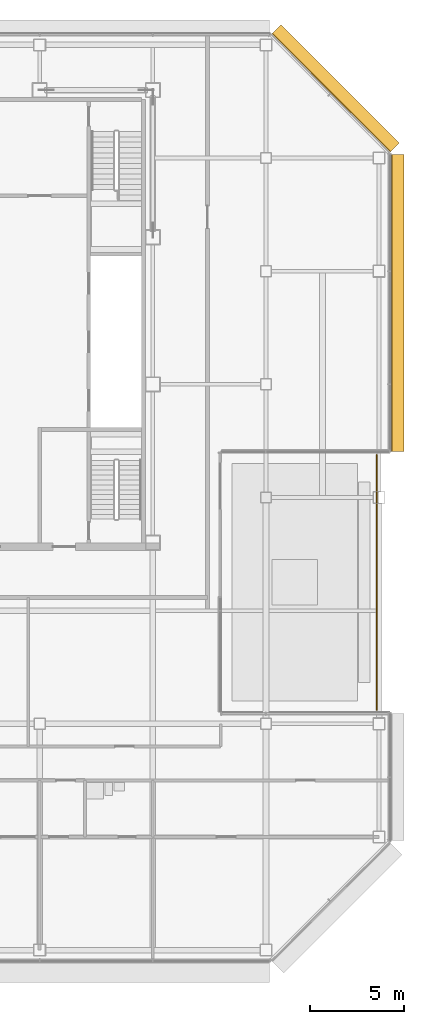
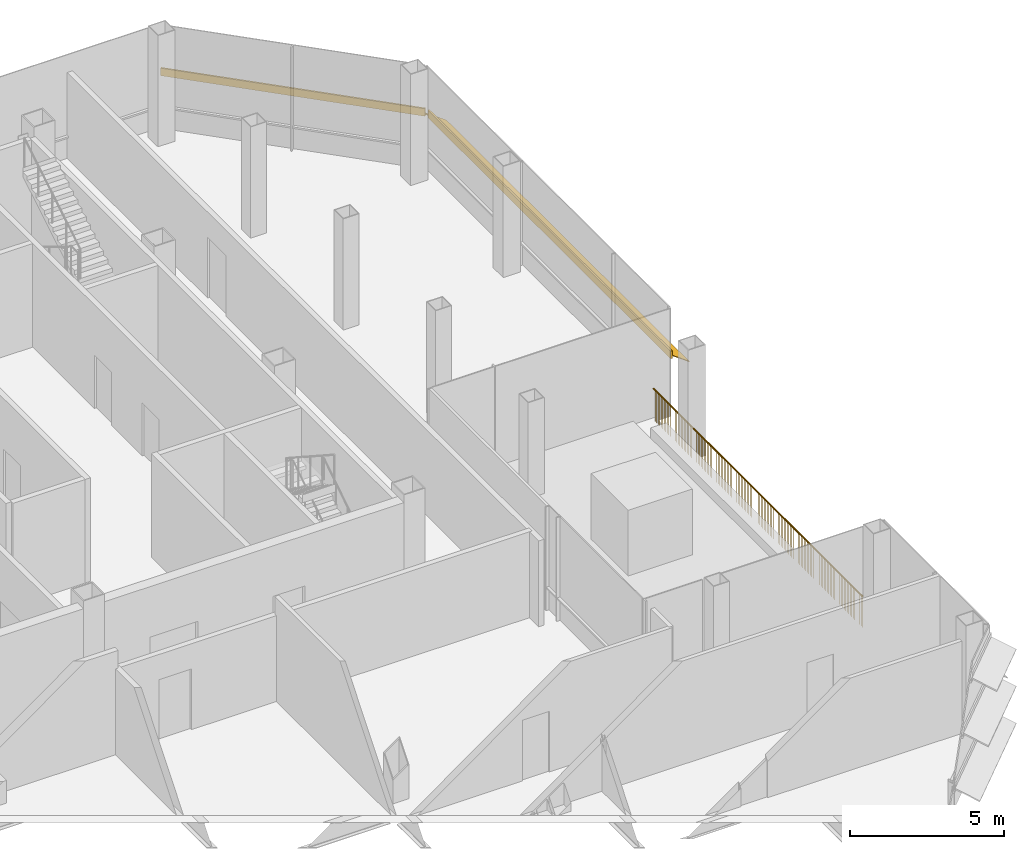
# One storey, part 28 of 30: 2 shading devices, 1 railing.
"""IFC4 building model written with IfcOpenShell, lengths in metres."""

from ifc_helpers import new_model, si_unit, direction, frame, origin, origin_2d, place, context, subcontext, project, spatial, polyline, circle, outline, extrude, material, type_object, element, save


model = new_model("IFC4")

# Units and contexts
model_context = context("Model", 3, precision=1e-05, world=origin(), true_north=direction((0.0, 1.0)))
body_context = subcontext(model_context, "Body", "Model", "MODEL_VIEW")
ifc_project = project(units=[si_unit("LENGTHUNIT", "METRE"), si_unit("AREAUNIT", "SQUARE_METRE"), si_unit("VOLUMEUNIT", "CUBIC_METRE"), si_unit("PLANEANGLEUNIT", "RADIAN"), si_unit("MASSUNIT", "GRAM", prefix="KILO")], contexts=[model_context])

# Site, building, storey
site_placement = place(None, origin())
site = spatial("IfcSite", under=ifc_project, at=site_placement, CompositionType="ELEMENT")
building_placement = place(site_placement, origin())
building = spatial("IfcBuilding", under=site, at=building_placement, Name="Sorahane Residences", CompositionType="ELEMENT")
storey_placement = place(building_placement, frame((0.0, 0.0, 229.800048828125)))
storey = spatial("IfcBuildingStorey", under=building, at=storey_placement, Name="L54", CompositionType="ELEMENT", Elevation=229.800048828125)

# Shading devices
ifc_material_1 = material(Name="Terracotta anodised aluminium", Category="masonry")
shading_device_type_1 = type_object("IfcShadingDeviceType", Name="Louvre sunshade blade E terracotta aluminium 700", PredefinedType="JALOUSIE", material=ifc_material_1)
shading_device_1_placement = place(storey_placement, frame((54.60009765625, 26.449951171875, 2.199951171875), z_axis=(0.0, 1.0, 0.0), x_axis=(-1.0, 0.0, 0.0)))
element("IfcShadingDevice", 1, at=shading_device_1_placement, inside=storey, type_object=shading_device_type_1, Name="Louvre sunshade blade bank E L54 E3", PredefinedType="JALOUSIE", context=body_context, shape_type="SweptSolid", body=[
    extrude(outline(polyline([(-0.719970703125, -0.49365234375), (-0.719970703125, -0.523681640625), (-0.080078125, -0.05859375), (-0.080078125, -0.14990234375), (-0.02001953125, -0.14990234375), (-0.02001953125, -0.014892578125), (-0.02001953125, 0.014892578125), (-0.02001953125, 0.14990234375), (-0.080078125, 0.14990234375), (-0.080078125, -0.028564453125), (-0.719970703125, -0.49365234375)])), origin(), (0.0, 0.0, 1.0), 15.74853515625),
])
ifc_material_2 = material(Name="Terracotta anodised aluminium", Category="masonry")
shading_device_type_2 = type_object("IfcShadingDeviceType", Name="Louvre sunshade blade NE terracotta aluminium 700", PredefinedType="JALOUSIE", material=ifc_material_2)
shading_device_2_placement = place(storey_placement, frame((54.564697265625, 42.283935546875, 2.199951171875), z_axis=(-0.707106781187, 0.707106781187, 0.0), x_axis=(-0.707106781187, -0.707106781187, 0.0)))
element("IfcShadingDevice", 2, at=shading_device_2_placement, inside=storey, type_object=shading_device_type_2, Name="Louvre sunshade blade bank NE L54 NE1", PredefinedType="JALOUSIE", context=body_context, shape_type="SweptSolid", body=[
    extrude(outline(polyline([(-0.719970703125, -0.572509765625), (-0.719970703125, -0.602294921875), (-0.080078125, -0.065185546875), (-0.080078125, -0.14990234375), (-0.02001953125, -0.14990234375), (-0.02001953125, -0.014892578125), (-0.02001953125, 0.014892578125), (-0.02001953125, 0.14990234375), (-0.080078125, 0.14990234375), (-0.080078125, -0.035400390625), (-0.719970703125, -0.572509765625)])), origin(), (0.0, 0.0, 1.0), 8.88232421875),
])

# Railing
ifc_material_3 = material(Name="Clear low-iron glass with a black steel top rail", Category="steel")
railing_type = type_object("IfcRailingType", Name="Terrace guard black steel bars 1260", PredefinedType="GUARDRAIL", material=ifc_material_3)
railing_placement = place(storey_placement, frame((53.8798828125, 26.280029296875, 0.0)))
element("IfcRailing", 3, at=railing_placement, inside=storey, type_object=railing_type, Name="Terrace guard L54.1.1", PredefinedType="GUARDRAIL", context=body_context, shape_type="SweptSolid", body=[
    extrude(circle(Radius=0.030029296875, at=origin_2d()), frame((0.0, 0.0, 1.22998046875), z_axis=(0.0, -1.0, 0.0), x_axis=(1.0, 0.0, 0.0)), (0.0, 0.0, 1.0), 13.56005859375),
    extrude(circle(Radius=0.0068359375, at=origin_2d()), origin(), (0.0, 0.0, 1.0), 1.199951171875),
    extrude(circle(Radius=0.0068359375, at=origin_2d()), frame((0.0, -0.099609375, 0.0)), (0.0, 0.0, 1.0), 1.199951171875),
    extrude(circle(Radius=0.0068359375, at=origin_2d()), frame((0.0, -0.199462890625, 0.0)), (0.0, 0.0, 1.0), 1.199951171875),
    extrude(circle(Radius=0.0068359375, at=origin_2d()), frame((0.0, -0.299072265625, 0.0)), (0.0, 0.0, 1.0), 1.199951171875),
    extrude(circle(Radius=0.0068359375, at=origin_2d()), frame((0.0, -0.39892578125, 0.0)), (0.0, 0.0, 1.0), 1.199951171875),
    extrude(circle(Radius=0.0068359375, at=origin_2d()), frame((0.0, -0.49853515625, 0.0)), (0.0, 0.0, 1.0), 1.199951171875),
    extrude(circle(Radius=0.0068359375, at=origin_2d()), frame((0.0, -0.59814453125, 0.0)), (0.0, 0.0, 1.0), 1.199951171875),
    extrude(circle(Radius=0.0068359375, at=origin_2d()), frame((0.0, -0.697998046875, 0.0)), (0.0, 0.0, 1.0), 1.199951171875),
    extrude(circle(Radius=0.0068359375, at=origin_2d()), frame((0.0, -0.797607421875, 0.0)), (0.0, 0.0, 1.0), 1.199951171875),
    extrude(circle(Radius=0.0068359375, at=origin_2d()), frame((0.0, -0.8974609375, 0.0)), (0.0, 0.0, 1.0), 1.199951171875),
    extrude(circle(Radius=0.0068359375, at=origin_2d()), frame((0.0, -0.9970703125, 0.0)), (0.0, 0.0, 1.0), 1.199951171875),
    extrude(circle(Radius=0.0068359375, at=origin_2d()), frame((0.0, -1.0966796875, 0.0)), (0.0, 0.0, 1.0), 1.199951171875),
    extrude(circle(Radius=0.0068359375, at=origin_2d()), frame((0.0, -1.196533203125, 0.0)), (0.0, 0.0, 1.0), 1.199951171875),
    extrude(circle(Radius=0.0068359375, at=origin_2d()), frame((0.0, -1.296142578125, 0.0)), (0.0, 0.0, 1.0), 1.199951171875),
    extrude(circle(Radius=0.0068359375, at=origin_2d()), frame((0.0, -1.39599609375, 0.0)), (0.0, 0.0, 1.0), 1.199951171875),
    extrude(circle(Radius=0.0068359375, at=origin_2d()), frame((0.0, -1.49560546875, 0.0)), (0.0, 0.0, 1.0), 1.199951171875),
    extrude(circle(Radius=0.0068359375, at=origin_2d()), frame((0.0, -1.59521484375, 0.0)), (0.0, 0.0, 1.0), 1.199951171875),
    extrude(circle(Radius=0.0068359375, at=origin_2d()), frame((0.0, -1.695068359375, 0.0)), (0.0, 0.0, 1.0), 1.199951171875),
    extrude(circle(Radius=0.0068359375, at=origin_2d()), frame((0.0, -1.794677734375, 0.0)), (0.0, 0.0, 1.0), 1.199951171875),
    extrude(circle(Radius=0.0068359375, at=origin_2d()), frame((0.0, -1.89453125, 0.0)), (0.0, 0.0, 1.0), 1.199951171875),
    extrude(circle(Radius=0.0068359375, at=origin_2d()), frame((0.0, -1.994140625, 0.0)), (0.0, 0.0, 1.0), 1.199951171875),
    extrude(circle(Radius=0.0068359375, at=origin_2d()), frame((0.0, -2.09375, 0.0)), (0.0, 0.0, 1.0), 1.199951171875),
    extrude(circle(Radius=0.0068359375, at=origin_2d()), frame((0.0, -2.193603515625, 0.0)), (0.0, 0.0, 1.0), 1.199951171875),
    extrude(circle(Radius=0.0068359375, at=origin_2d()), frame((0.0, -2.293212890625, 0.0)), (0.0, 0.0, 1.0), 1.199951171875),
    extrude(circle(Radius=0.0068359375, at=origin_2d()), frame((0.0, -2.39306640625, 0.0)), (0.0, 0.0, 1.0), 1.199951171875),
    extrude(circle(Radius=0.0068359375, at=origin_2d()), frame((0.0, -2.49267578125, 0.0)), (0.0, 0.0, 1.0), 1.199951171875),
    extrude(circle(Radius=0.0068359375, at=origin_2d()), frame((0.0, -2.59228515625, 0.0)), (0.0, 0.0, 1.0), 1.199951171875),
    extrude(circle(Radius=0.0068359375, at=origin_2d()), frame((0.0, -2.692138671875, 0.0)), (0.0, 0.0, 1.0), 1.199951171875),
    extrude(circle(Radius=0.0068359375, at=origin_2d()), frame((0.0, -2.791748046875, 0.0)), (0.0, 0.0, 1.0), 1.199951171875),
    extrude(circle(Radius=0.0068359375, at=origin_2d()), frame((0.0, -2.8916015625, 0.0)), (0.0, 0.0, 1.0), 1.199951171875),
    extrude(circle(Radius=0.0068359375, at=origin_2d()), frame((0.0, -2.9912109375, 0.0)), (0.0, 0.0, 1.0), 1.199951171875),
    extrude(circle(Radius=0.0068359375, at=origin_2d()), frame((0.0, -3.0908203125, 0.0)), (0.0, 0.0, 1.0), 1.199951171875),
    extrude(circle(Radius=0.0068359375, at=origin_2d()), frame((0.0, -3.190673828125, 0.0)), (0.0, 0.0, 1.0), 1.199951171875),
    extrude(circle(Radius=0.0068359375, at=origin_2d()), frame((0.0, -3.290283203125, 0.0)), (0.0, 0.0, 1.0), 1.199951171875),
    extrude(circle(Radius=0.0068359375, at=origin_2d()), frame((0.0, -3.39013671875, 0.0)), (0.0, 0.0, 1.0), 1.199951171875),
    extrude(circle(Radius=0.0068359375, at=origin_2d()), frame((0.0, -3.48974609375, 0.0)), (0.0, 0.0, 1.0), 1.199951171875),
    extrude(circle(Radius=0.0068359375, at=origin_2d()), frame((0.0, -3.58935546875, 0.0)), (0.0, 0.0, 1.0), 1.199951171875),
    extrude(circle(Radius=0.0068359375, at=origin_2d()), frame((0.0, -3.689208984375, 0.0)), (0.0, 0.0, 1.0), 1.199951171875),
    extrude(circle(Radius=0.0068359375, at=origin_2d()), frame((0.0, -3.788818359375, 0.0)), (0.0, 0.0, 1.0), 1.199951171875),
    extrude(circle(Radius=0.0068359375, at=origin_2d()), frame((0.0, -3.888427734375, 0.0)), (0.0, 0.0, 1.0), 1.199951171875),
    extrude(circle(Radius=0.0068359375, at=origin_2d()), frame((0.0, -3.98828125, 0.0)), (0.0, 0.0, 1.0), 1.199951171875),
    extrude(circle(Radius=0.0068359375, at=origin_2d()), frame((0.0, -4.087890625, 0.0)), (0.0, 0.0, 1.0), 1.199951171875),
    extrude(circle(Radius=0.0068359375, at=origin_2d()), frame((0.0, -4.187744140625, 0.0)), (0.0, 0.0, 1.0), 1.199951171875),
    extrude(circle(Radius=0.0068359375, at=origin_2d()), frame((0.0, -4.287353515625, 0.0)), (0.0, 0.0, 1.0), 1.199951171875),
    extrude(circle(Radius=0.0068359375, at=origin_2d()), frame((0.0, -4.386962890625, 0.0)), (0.0, 0.0, 1.0), 1.199951171875),
    extrude(circle(Radius=0.0068359375, at=origin_2d()), frame((0.0, -4.48681640625, 0.0)), (0.0, 0.0, 1.0), 1.199951171875),
    extrude(circle(Radius=0.0068359375, at=origin_2d()), frame((0.0, -4.58642578125, 0.0)), (0.0, 0.0, 1.0), 1.199951171875),
    extrude(circle(Radius=0.0068359375, at=origin_2d()), frame((0.0, -4.686279296875, 0.0)), (0.0, 0.0, 1.0), 1.199951171875),
    extrude(circle(Radius=0.0068359375, at=origin_2d()), frame((0.0, -4.785888671875, 0.0)), (0.0, 0.0, 1.0), 1.199951171875),
    extrude(circle(Radius=0.0068359375, at=origin_2d()), frame((0.0, -4.885498046875, 0.0)), (0.0, 0.0, 1.0), 1.199951171875),
    extrude(circle(Radius=0.0068359375, at=origin_2d()), frame((0.0, -4.9853515625, 0.0)), (0.0, 0.0, 1.0), 1.199951171875),
    extrude(circle(Radius=0.0068359375, at=origin_2d()), frame((0.0, -5.0849609375, 0.0)), (0.0, 0.0, 1.0), 1.199951171875),
    extrude(circle(Radius=0.0068359375, at=origin_2d()), frame((0.0, -5.184814453125, 0.0)), (0.0, 0.0, 1.0), 1.199951171875),
    extrude(circle(Radius=0.0068359375, at=origin_2d()), frame((0.0, -5.284423828125, 0.0)), (0.0, 0.0, 1.0), 1.199951171875),
    extrude(circle(Radius=0.0068359375, at=origin_2d()), frame((0.0, -5.384033203125, 0.0)), (0.0, 0.0, 1.0), 1.199951171875),
    extrude(circle(Radius=0.0068359375, at=origin_2d()), frame((0.0, -5.48388671875, 0.0)), (0.0, 0.0, 1.0), 1.199951171875),
    extrude(circle(Radius=0.0068359375, at=origin_2d()), frame((0.0, -5.58349609375, 0.0)), (0.0, 0.0, 1.0), 1.199951171875),
    extrude(circle(Radius=0.0068359375, at=origin_2d()), frame((0.0, -5.683349609375, 0.0)), (0.0, 0.0, 1.0), 1.199951171875),
    extrude(circle(Radius=0.0068359375, at=origin_2d()), frame((0.0, -5.782958984375, 0.0)), (0.0, 0.0, 1.0), 1.199951171875),
    extrude(circle(Radius=0.0068359375, at=origin_2d()), frame((0.0, -5.882568359375, 0.0)), (0.0, 0.0, 1.0), 1.199951171875),
    extrude(circle(Radius=0.0068359375, at=origin_2d()), frame((0.0, -5.982421875, 0.0)), (0.0, 0.0, 1.0), 1.199951171875),
    extrude(circle(Radius=0.0068359375, at=origin_2d()), frame((0.0, -6.08203125, 0.0)), (0.0, 0.0, 1.0), 1.199951171875),
    extrude(circle(Radius=0.0068359375, at=origin_2d()), frame((0.0, -6.181884765625, 0.0)), (0.0, 0.0, 1.0), 1.199951171875),
    extrude(circle(Radius=0.0068359375, at=origin_2d()), frame((0.0, -6.281494140625, 0.0)), (0.0, 0.0, 1.0), 1.199951171875),
    extrude(circle(Radius=0.0068359375, at=origin_2d()), frame((0.0, -6.381103515625, 0.0)), (0.0, 0.0, 1.0), 1.199951171875),
    extrude(circle(Radius=0.0068359375, at=origin_2d()), frame((0.0, -6.48095703125, 0.0)), (0.0, 0.0, 1.0), 1.199951171875),
    extrude(circle(Radius=0.0068359375, at=origin_2d()), frame((0.0, -6.58056640625, 0.0)), (0.0, 0.0, 1.0), 1.199951171875),
    extrude(circle(Radius=0.0068359375, at=origin_2d()), frame((0.0, -6.680419921875, 0.0)), (0.0, 0.0, 1.0), 1.199951171875),
    extrude(circle(Radius=0.0068359375, at=origin_2d()), frame((0.0, -6.780029296875, 0.0)), (0.0, 0.0, 1.0), 1.199951171875),
    extrude(circle(Radius=0.0068359375, at=origin_2d()), frame((0.0, -6.879638671875, 0.0)), (0.0, 0.0, 1.0), 1.199951171875),
    extrude(circle(Radius=0.0068359375, at=origin_2d()), frame((0.0, -6.9794921875, 0.0)), (0.0, 0.0, 1.0), 1.199951171875),
    extrude(circle(Radius=0.0068359375, at=origin_2d()), frame((0.0, -7.0791015625, 0.0)), (0.0, 0.0, 1.0), 1.199951171875),
    extrude(circle(Radius=0.0068359375, at=origin_2d()), frame((0.0, -7.178955078125, 0.0)), (0.0, 0.0, 1.0), 1.199951171875),
    extrude(circle(Radius=0.0068359375, at=origin_2d()), frame((0.0, -7.278564453125, 0.0)), (0.0, 0.0, 1.0), 1.199951171875),
    extrude(circle(Radius=0.0068359375, at=origin_2d()), frame((0.0, -7.378173828125, 0.0)), (0.0, 0.0, 1.0), 1.199951171875),
    extrude(circle(Radius=0.0068359375, at=origin_2d()), frame((0.0, -7.47802734375, 0.0)), (0.0, 0.0, 1.0), 1.199951171875),
    extrude(circle(Radius=0.0068359375, at=origin_2d()), frame((0.0, -7.57763671875, 0.0)), (0.0, 0.0, 1.0), 1.199951171875),
    extrude(circle(Radius=0.0068359375, at=origin_2d()), frame((0.0, -7.677490234375, 0.0)), (0.0, 0.0, 1.0), 1.199951171875),
    extrude(circle(Radius=0.0068359375, at=origin_2d()), frame((0.0, -7.777099609375, 0.0)), (0.0, 0.0, 1.0), 1.199951171875),
    extrude(circle(Radius=0.0068359375, at=origin_2d()), frame((0.0, -7.876708984375, 0.0)), (0.0, 0.0, 1.0), 1.199951171875),
    extrude(circle(Radius=0.0068359375, at=origin_2d()), frame((0.0, -7.9765625, 0.0)), (0.0, 0.0, 1.0), 1.199951171875),
    extrude(circle(Radius=0.0068359375, at=origin_2d()), frame((0.0, -8.076171875, 0.0)), (0.0, 0.0, 1.0), 1.199951171875),
    extrude(circle(Radius=0.0068359375, at=origin_2d()), frame((0.0, -8.176025390625, 0.0)), (0.0, 0.0, 1.0), 1.199951171875),
    extrude(circle(Radius=0.0068359375, at=origin_2d()), frame((0.0, -8.275634765625, 0.0)), (0.0, 0.0, 1.0), 1.199951171875),
    extrude(circle(Radius=0.0068359375, at=origin_2d()), frame((0.0, -8.375244140625, 0.0)), (0.0, 0.0, 1.0), 1.199951171875),
    extrude(circle(Radius=0.0068359375, at=origin_2d()), frame((0.0, -8.47509765625, 0.0)), (0.0, 0.0, 1.0), 1.199951171875),
    extrude(circle(Radius=0.0068359375, at=origin_2d()), frame((0.0, -8.57470703125, 0.0)), (0.0, 0.0, 1.0), 1.199951171875),
    extrude(circle(Radius=0.0068359375, at=origin_2d()), frame((0.0, -8.674560546875, 0.0)), (0.0, 0.0, 1.0), 1.199951171875),
    extrude(circle(Radius=0.0068359375, at=origin_2d()), frame((0.0, -8.774169921875, 0.0)), (0.0, 0.0, 1.0), 1.199951171875),
    extrude(circle(Radius=0.0068359375, at=origin_2d()), frame((0.0, -8.873779296875, 0.0)), (0.0, 0.0, 1.0), 1.199951171875),
    extrude(circle(Radius=0.0068359375, at=origin_2d()), frame((0.0, -8.9736328125, 0.0)), (0.0, 0.0, 1.0), 1.199951171875),
    extrude(circle(Radius=0.0068359375, at=origin_2d()), frame((0.0, -9.0732421875, 0.0)), (0.0, 0.0, 1.0), 1.199951171875),
    extrude(circle(Radius=0.0068359375, at=origin_2d()), frame((0.0, -9.173095703125, 0.0)), (0.0, 0.0, 1.0), 1.199951171875),
    extrude(circle(Radius=0.0068359375, at=origin_2d()), frame((0.0, -9.272705078125, 0.0)), (0.0, 0.0, 1.0), 1.199951171875),
    extrude(circle(Radius=0.0068359375, at=origin_2d()), frame((0.0, -9.372314453125, 0.0)), (0.0, 0.0, 1.0), 1.199951171875),
    extrude(circle(Radius=0.0068359375, at=origin_2d()), frame((0.0, -9.47216796875, 0.0)), (0.0, 0.0, 1.0), 1.199951171875),
    extrude(circle(Radius=0.0068359375, at=origin_2d()), frame((0.0, -9.57177734375, 0.0)), (0.0, 0.0, 1.0), 1.199951171875),
    extrude(circle(Radius=0.0068359375, at=origin_2d()), frame((0.0, -9.671630859375, 0.0)), (0.0, 0.0, 1.0), 1.199951171875),
    extrude(circle(Radius=0.0068359375, at=origin_2d()), frame((0.0, -9.771240234375, 0.0)), (0.0, 0.0, 1.0), 1.199951171875),
    extrude(circle(Radius=0.0068359375, at=origin_2d()), frame((0.0, -9.870849609375, 0.0)), (0.0, 0.0, 1.0), 1.199951171875),
    extrude(circle(Radius=0.0068359375, at=origin_2d()), frame((0.0, -9.970703125, 0.0)), (0.0, 0.0, 1.0), 1.199951171875),
    extrude(circle(Radius=0.0068359375, at=origin_2d()), frame((0.0, -10.0703125, 0.0)), (0.0, 0.0, 1.0), 1.199951171875),
    extrude(circle(Radius=0.0068359375, at=origin_2d()), frame((0.0, -10.169921875, 0.0)), (0.0, 0.0, 1.0), 1.199951171875),
    extrude(circle(Radius=0.0068359375, at=origin_2d()), frame((0.0, -10.269775390625, 0.0)), (0.0, 0.0, 1.0), 1.199951171875),
    extrude(circle(Radius=0.0068359375, at=origin_2d()), frame((0.0, -10.369384765625, 0.0)), (0.0, 0.0, 1.0), 1.199951171875),
    extrude(circle(Radius=0.0068359375, at=origin_2d()), frame((0.0, -10.46923828125, 0.0)), (0.0, 0.0, 1.0), 1.199951171875),
    extrude(circle(Radius=0.0068359375, at=origin_2d()), frame((0.0, -10.56884765625, 0.0)), (0.0, 0.0, 1.0), 1.199951171875),
    extrude(circle(Radius=0.0068359375, at=origin_2d()), frame((0.0, -10.66845703125, 0.0)), (0.0, 0.0, 1.0), 1.199951171875),
    extrude(circle(Radius=0.0068359375, at=origin_2d()), frame((0.0, -10.768310546875, 0.0)), (0.0, 0.0, 1.0), 1.199951171875),
    extrude(circle(Radius=0.0068359375, at=origin_2d()), frame((0.0, -10.867919921875, 0.0)), (0.0, 0.0, 1.0), 1.199951171875),
    extrude(circle(Radius=0.0068359375, at=origin_2d()), frame((0.0, -10.9677734375, 0.0)), (0.0, 0.0, 1.0), 1.199951171875),
    extrude(circle(Radius=0.0068359375, at=origin_2d()), frame((0.0, -11.0673828125, 0.0)), (0.0, 0.0, 1.0), 1.199951171875),
    extrude(circle(Radius=0.0068359375, at=origin_2d()), frame((0.0, -11.1669921875, 0.0)), (0.0, 0.0, 1.0), 1.199951171875),
    extrude(circle(Radius=0.0068359375, at=origin_2d()), frame((0.0, -11.266845703125, 0.0)), (0.0, 0.0, 1.0), 1.199951171875),
    extrude(circle(Radius=0.0068359375, at=origin_2d()), frame((0.0, -11.366455078125, 0.0)), (0.0, 0.0, 1.0), 1.199951171875),
    extrude(circle(Radius=0.0068359375, at=origin_2d()), frame((0.0, -11.46630859375, 0.0)), (0.0, 0.0, 1.0), 1.199951171875),
    extrude(circle(Radius=0.0068359375, at=origin_2d()), frame((0.0, -11.56591796875, 0.0)), (0.0, 0.0, 1.0), 1.199951171875),
    extrude(circle(Radius=0.0068359375, at=origin_2d()), frame((0.0, -11.66552734375, 0.0)), (0.0, 0.0, 1.0), 1.199951171875),
    extrude(circle(Radius=0.0068359375, at=origin_2d()), frame((0.0, -11.765380859375, 0.0)), (0.0, 0.0, 1.0), 1.199951171875),
    extrude(circle(Radius=0.0068359375, at=origin_2d()), frame((0.0, -11.864990234375, 0.0)), (0.0, 0.0, 1.0), 1.199951171875),
    extrude(circle(Radius=0.0068359375, at=origin_2d()), frame((0.0, -11.96484375, 0.0)), (0.0, 0.0, 1.0), 1.199951171875),
    extrude(circle(Radius=0.0068359375, at=origin_2d()), frame((0.0, -12.064453125, 0.0)), (0.0, 0.0, 1.0), 1.199951171875),
    extrude(circle(Radius=0.0068359375, at=origin_2d()), frame((0.0, -12.1640625, 0.0)), (0.0, 0.0, 1.0), 1.199951171875),
    extrude(circle(Radius=0.0068359375, at=origin_2d()), frame((0.0, -12.263916015625, 0.0)), (0.0, 0.0, 1.0), 1.199951171875),
    extrude(circle(Radius=0.0068359375, at=origin_2d()), frame((0.0, -12.363525390625, 0.0)), (0.0, 0.0, 1.0), 1.199951171875),
    extrude(circle(Radius=0.0068359375, at=origin_2d()), frame((0.0, -12.46337890625, 0.0)), (0.0, 0.0, 1.0), 1.199951171875),
    extrude(circle(Radius=0.0068359375, at=origin_2d()), frame((0.0, -12.56298828125, 0.0)), (0.0, 0.0, 1.0), 1.199951171875),
    extrude(circle(Radius=0.0068359375, at=origin_2d()), frame((0.0, -12.66259765625, 0.0)), (0.0, 0.0, 1.0), 1.199951171875),
    extrude(circle(Radius=0.0068359375, at=origin_2d()), frame((0.0, -12.762451171875, 0.0)), (0.0, 0.0, 1.0), 1.199951171875),
    extrude(circle(Radius=0.0068359375, at=origin_2d()), frame((0.0, -12.862060546875, 0.0)), (0.0, 0.0, 1.0), 1.199951171875),
    extrude(circle(Radius=0.0068359375, at=origin_2d()), frame((0.0, -12.9619140625, 0.0)), (0.0, 0.0, 1.0), 1.199951171875),
    extrude(circle(Radius=0.0068359375, at=origin_2d()), frame((0.0, -13.0615234375, 0.0)), (0.0, 0.0, 1.0), 1.199951171875),
    extrude(circle(Radius=0.0068359375, at=origin_2d()), frame((0.0, -13.1611328125, 0.0)), (0.0, 0.0, 1.0), 1.199951171875),
    extrude(circle(Radius=0.0068359375, at=origin_2d()), frame((0.0, -13.260986328125, 0.0)), (0.0, 0.0, 1.0), 1.199951171875),
    extrude(circle(Radius=0.0068359375, at=origin_2d()), frame((0.0, -13.360595703125, 0.0)), (0.0, 0.0, 1.0), 1.199951171875),
    extrude(circle(Radius=0.0068359375, at=origin_2d()), frame((0.0, -13.46044921875, 0.0)), (0.0, 0.0, 1.0), 1.199951171875),
    extrude(circle(Radius=0.0068359375, at=origin_2d()), frame((0.0, -13.56005859375, 0.0)), (0.0, 0.0, 1.0), 1.199951171875),
])

save(model, "model.ifc")
